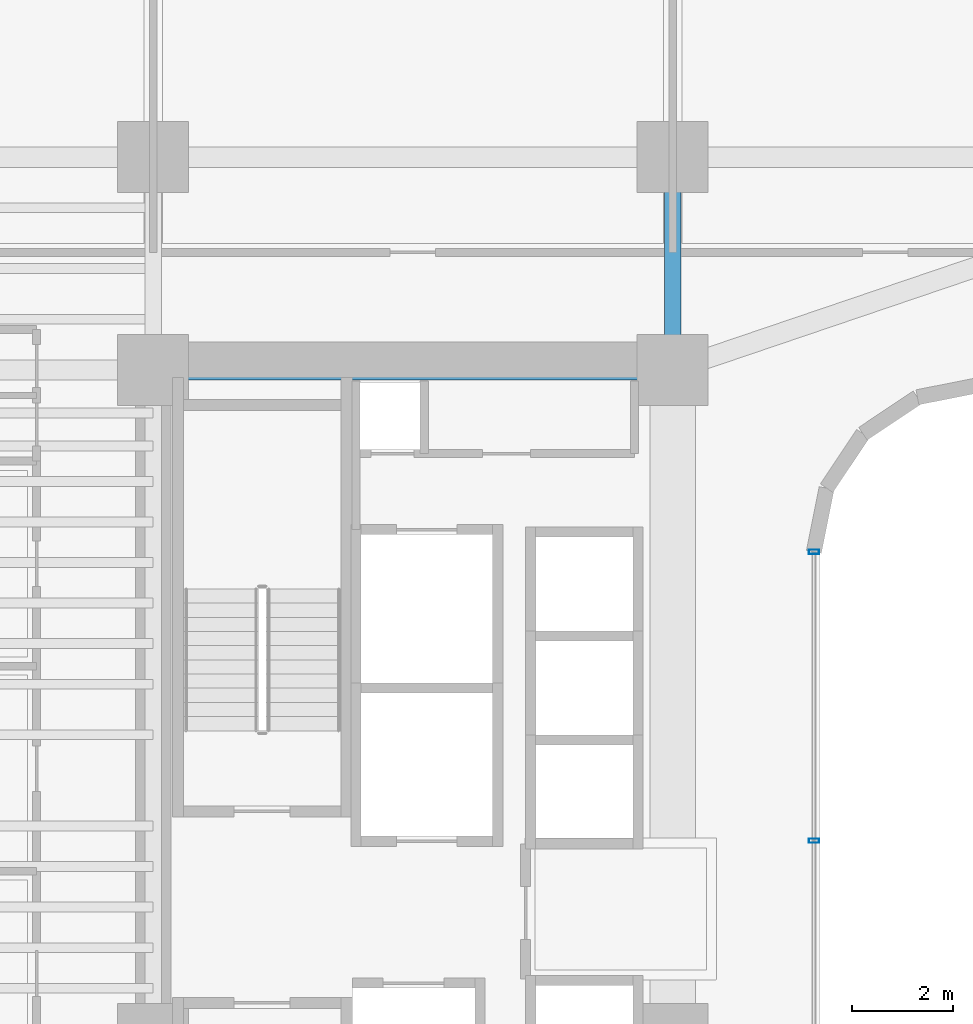
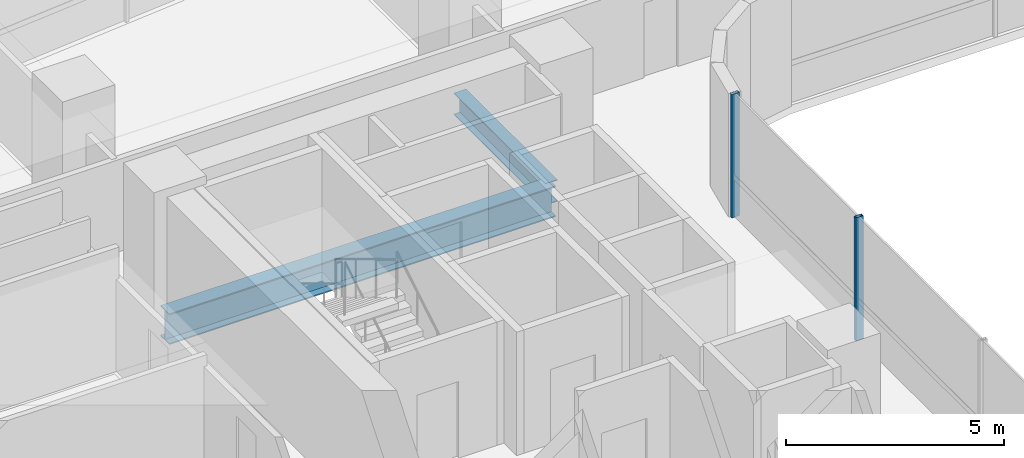
# One storey, part 10 of 38: 2 beams, 2 members, 1 element without a shape of its own.
"""IFC4 building model written with IfcOpenShell, lengths in metres."""

from ifc_helpers import new_model, si_unit, direction, frame, origin, origin_2d, place, context, subcontext, project, spatial, hollow_rectangle, i_section, extrude, source, transform, mapped, material, material_profile, profile_set, type_object, element, aggregate, save


model = new_model("IFC4")

# Units and contexts
model_context = context("Model", 3, precision=1e-05, world=origin(), true_north=direction((0.0, 1.0)))
body_context = subcontext(model_context, "Body", "Model", "MODEL_VIEW")
ifc_project = project(units=[si_unit("LENGTHUNIT", "METRE"), si_unit("AREAUNIT", "SQUARE_METRE"), si_unit("VOLUMEUNIT", "CUBIC_METRE"), si_unit("PLANEANGLEUNIT", "RADIAN"), si_unit("MASSUNIT", "GRAM", prefix="KILO")], contexts=[model_context])

# Site, building, storey
site_placement = place(None, origin())
site = spatial("IfcSite", under=ifc_project, at=site_placement, CompositionType="ELEMENT")
building_placement = place(site_placement, origin())
building = spatial("IfcBuilding", under=site, at=building_placement, Name="Valdorenza Pilgrim Sanctuary Tower", CompositionType="ELEMENT")
storey_placement = place(building_placement, frame((0.0, 0.0, 37.10009765625)))
storey = spatial("IfcBuildingStorey", under=building, at=storey_placement, Name="L08", CompositionType="ELEMENT", Elevation=37.10009765625)

# Beams
ifc_material_1 = material(Name="Steel ASTM A992 Grade 50", Category="steel")
ifc_material_profile_1 = material_profile(ifc_material_1, i_section(OverallWidth=0.323974609375, OverallDepth=0.611083984375, WebThickness=0.0126953125, FlangeThickness=0.01904296875, at=origin_2d()), Name="W24X104")
ifc_profile_set_1 = profile_set([ifc_material_profile_1], Name="Steel ASTM A992 Grade 50")
beam_type_1 = type_object("IfcBeamType", Name="STR-BM-GRD-W24B", PredefinedType="BEAM", material=ifc_profile_set_1)
shared_shape_1 = source(origin(), body_context, "Body", "SweptSolid", [
    extrude(i_section(OverallWidth=0.323974609375, OverallDepth=0.611083984375, WebThickness=0.0126953125, FlangeThickness=0.01904296875, at=origin_2d()), origin(), (0.0, 0.0, 1.0), 4.199951171875),
])
beam_1_placement = place(storey_placement, frame((-12.39990234375, 10.60009765625, -0.545654296875), z_axis=(0.0, 1.0, 0.0), x_axis=(-1.0, 0.0, 0.0)))
element("IfcBeam", 1, at=beam_1_placement, inside=storey, type_object=beam_type_1, Name="L08 Core Tie Girder CA-E-N1N2", PredefinedType="BEAM", context=body_context, shape_type="MappedRepresentation", body=[
    mapped(shared_shape_1, transform((0.0, 0.0, 0.0), x_axis=(1.0, 0.0, 0.0), y_axis=(0.0, 1.0, 0.0), z_axis=(0.0, 0.0, 1.0), scale=1.0)),
])
ifc_material_profile_2 = material_profile(ifc_material_1, i_section(OverallWidth=0.39990234375, OverallDepth=0.862060546875, WebThickness=0.019775390625, FlangeThickness=0.032470703125, at=origin_2d()), Name="W33X221")
ifc_profile_set_2 = profile_set([ifc_material_profile_2], Name="Steel ASTM A992 Grade 50")
beam_type_2 = type_object("IfcBeamType", Name="STR-BM-GRD-W33", PredefinedType="BEAM", material=ifc_profile_set_2)
shared_shape_2 = source(origin(), body_context, "Body", "SweptSolid", [
    extrude(i_section(OverallWidth=0.39990234375, OverallDepth=0.862060546875, WebThickness=0.019775390625, FlangeThickness=0.032470703125, at=origin_2d()), origin(), (0.0, 0.0, 1.0), 10.25),
])
beam_2_placement = place(storey_placement, frame((-22.64990234375, 10.60009765625, -0.671142578125), z_axis=(1.0, 0.0, 0.0), x_axis=(0.0, 1.0, 0.0)))
element("IfcBeam", 2, at=beam_2_placement, inside=storey, type_object=beam_type_2, Name="L08 Floor Girder CA-XC-N1", PredefinedType="BEAM", context=body_context, shape_type="MappedRepresentation", body=[
    mapped(shared_shape_2, transform((0.0, 0.0, 0.0), x_axis=(1.0, 0.0, 0.0), y_axis=(0.0, 1.0, 0.0), z_axis=(0.0, 0.0, 1.0), scale=1.0)),
])

# Curtain wall, members
ifc_material_2 = material(Name="Curtain-wall IGU glazing", Category="glass")
curtain_wall_type = type_object("IfcCurtainWallType", Name="CW-SYS-02", PredefinedType="NOTDEFINED", material=ifc_material_2)
curtain_wall_placement = place(storey_placement, origin())
curtain_wall = element("IfcCurtainWall", 3, at=curtain_wall_placement, inside=storey, type_object=curtain_wall_type, Name="L08 Curtain Wall CW-L08-1-41", PredefinedType="NOTDEFINED")
ifc_material_3 = material(Name="Anodised aluminium AW-6060", Category="aluminium")
ifc_material_profile_3 = material_profile(ifc_material_3, hollow_rectangle(XDim=0.0849609375, YDim=0.199951171875, WallThickness=0.0048828125, at=origin_2d()), Name="ALU-M 200x85x5")
ifc_profile_set_3 = profile_set([ifc_material_profile_3], Name="Anodised aluminium AW-6060")
member_type = type_object("IfcMemberType", Name="CW-MUL-02", PredefinedType="MULLION", material=ifc_profile_set_3)
shared_shape_3 = source(origin(), body_context, "Body", "SweptSolid", [
    extrude(hollow_rectangle(XDim=0.0849609375, YDim=0.199951171875, WallThickness=0.0048828125, at=origin_2d()), origin(), (0.0, 0.0, 1.0), 3.4599609375),
])
member_1_placement = place(storey_placement, frame((-9.610107421875, 7.0107421875, 0.0), z_axis=(0.0, 0.0, 1.0), x_axis=(0.0, -1.0, 0.0)))
member_1 = element("IfcMember", 4, at=member_1_placement, type_object=member_type, Name="CW-L08-1-41 Mullion 1", PredefinedType="MULLION", context=body_context, shape_type="MappedRepresentation", body=[
    mapped(shared_shape_3, transform((0.0, 0.0, 0.0), x_axis=(1.0, 0.0, 0.0), y_axis=(0.0, 1.0, 0.0), z_axis=(0.0, 0.0, 1.0), scale=1.0)),
])
member_2_placement = place(storey_placement, frame((-9.610107421875, 1.310791015625, 0.0), z_axis=(0.0, 0.0, 1.0), x_axis=(0.0, -1.0, 0.0)))
member_2 = element("IfcMember", 5, at=member_2_placement, type_object=member_type, Name="CW-L08-1-41 Mullion 2", PredefinedType="MULLION", context=body_context, shape_type="MappedRepresentation", body=[
    mapped(shared_shape_3, transform((0.0, 0.0, 0.0), x_axis=(1.0, 0.0, 0.0), y_axis=(0.0, 1.0, 0.0), z_axis=(0.0, 0.0, 1.0), scale=1.0)),
])
aggregate(curtain_wall, [member_1, member_2])

save(model, "model.ifc")
